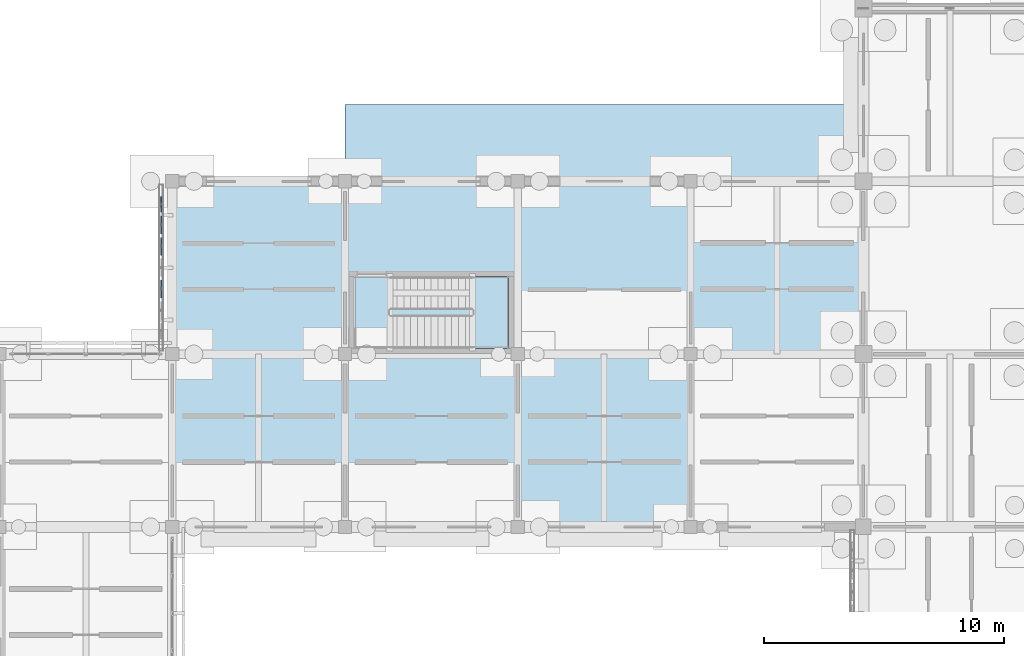
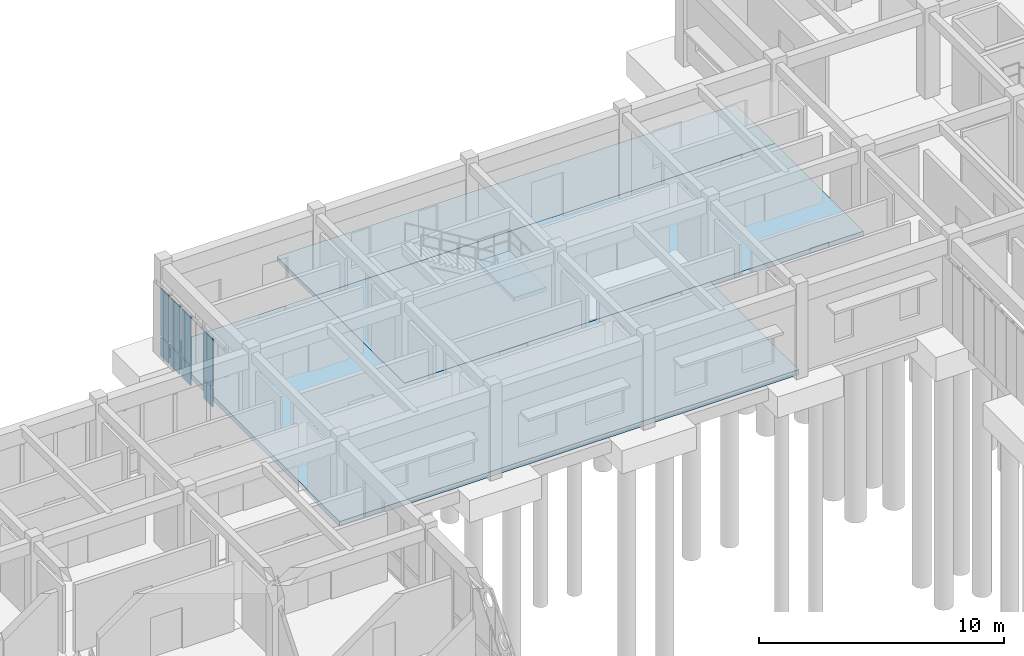
# One storey, part 54 of 111: 8 plates, 4 slabs, 2 elements without a shape of their own.
"""IFC4 building model written with IfcOpenShell, lengths in metres."""

from ifc_helpers import new_model, si_unit, direction, frame, origin, origin_2d, place, context, subcontext, project, spatial, polyline, rectangle, outline, extrude, material, layer, layer_set, type_object, element, aggregate, save


model = new_model("IFC4")

# Units and contexts
model_context = context("Model", 3, precision=1e-05, world=origin(), true_north=direction((0.0, 1.0)))
body_context = subcontext(model_context, "Body", "Model", "MODEL_VIEW")
ifc_project = project(units=[si_unit("LENGTHUNIT", "METRE"), si_unit("AREAUNIT", "SQUARE_METRE"), si_unit("VOLUMEUNIT", "CUBIC_METRE"), si_unit("PLANEANGLEUNIT", "RADIAN"), si_unit("MASSUNIT", "GRAM", prefix="KILO")], contexts=[model_context])

# Site, building, storey
site_placement = place(None, origin())
site = spatial("IfcSite", under=ifc_project, at=site_placement, CompositionType="ELEMENT")
building_placement = place(site_placement, origin())
building = spatial("IfcBuilding", under=site, at=building_placement, Name="Aldebral Square Health Centre", CompositionType="ELEMENT")
storey_placement = place(building_placement, origin())
storey = spatial("IfcBuildingStorey", under=building, at=storey_placement, Name="L00", CompositionType="ELEMENT", Elevation=0.0)

# Curtain wall, plates
ifc_material_1 = material(Name="Aluminium and low-E solar glass", Category="aluminium")
curtain_wall_type = type_object("IfcCurtainWallType", Name="CW-FIN-SYS", PredefinedType="USERDEFINED", material=ifc_material_1)
curtain_wall_placement = place(storey_placement, origin())
curtain_wall = element("IfcCurtainWall", 1, at=curtain_wall_placement, inside=storey, type_object=curtain_wall_type, Name="L00 V5 finned curtain wall L00-V5-15-14-W", ObjectType="SOLAR_CURTAIN_WALL", PredefinedType="USERDEFINED")
ifc_material_2 = material(Name="Solar-control low-E double glass", Category="glass")
ifc_layer_1 = layer(ifc_material_2, 0.050048828125, Name="Solar-control low-E double glass", Category="glass")
ifc_layer_set_1 = layer_set([ifc_layer_1], Name="Solar-control low-E double glass")
plate_type = type_object("IfcPlateType", Name="CWP-GLZ-4", PredefinedType="CURTAIN_PANEL", material=ifc_layer_set_1)
plate_1_placement = place(storey_placement, frame((107.5400390625, 107.0341796875, 0.074951171875), z_axis=(0.0, 0.0, 1.0), x_axis=(0.0, -1.0, 0.0)))
plate_1 = element("IfcPlate", 2, at=plate_1_placement, type_object=plate_type, Name="CW1 panel 1.1", PredefinedType="CURTAIN_PANEL", context=body_context, shape_type="SweptSolid", body=[
    extrude(rectangle(XDim=0.6513671875, YDim=0.050048828125, at=origin_2d()), origin(), (0.0, 0.0, 1.0), 0.9375),
])
plate_2_placement = place(storey_placement, frame((107.5400390625, 107.0341796875, 1.087646484375), z_axis=(0.0, 0.0, 1.0), x_axis=(0.0, -1.0, 0.0)))
plate_2 = element("IfcPlate", 3, at=plate_2_placement, type_object=plate_type, Name="CW1 panel 1.2", PredefinedType="CURTAIN_PANEL", context=body_context, shape_type="SweptSolid", body=[
    extrude(rectangle(XDim=0.6513671875, YDim=0.050048828125, at=origin_2d()), origin(), (0.0, 0.0, 1.0), 2.357421875),
])
plate_3_placement = place(storey_placement, frame((107.5400390625, 106.182861328125, 0.074951171875), z_axis=(0.0, 0.0, 1.0), x_axis=(0.0, -1.0, 0.0)))
plate_3 = element("IfcPlate", 4, at=plate_3_placement, type_object=plate_type, Name="CW1 panel 2.1", PredefinedType="CURTAIN_PANEL", context=body_context, shape_type="SweptSolid", body=[
    extrude(rectangle(XDim=0.7314453125, YDim=0.050048828125, at=origin_2d()), origin(), (0.0, 0.0, 1.0), 0.9375),
])
plate_4_placement = place(storey_placement, frame((107.5400390625, 106.182861328125, 1.087646484375), z_axis=(0.0, 0.0, 1.0), x_axis=(0.0, -1.0, 0.0)))
plate_4 = element("IfcPlate", 5, at=plate_4_placement, type_object=plate_type, Name="CW1 panel 2.2", PredefinedType="CURTAIN_PANEL", context=body_context, shape_type="SweptSolid", body=[
    extrude(rectangle(XDim=0.7314453125, YDim=0.050048828125, at=origin_2d()), origin(), (0.0, 0.0, 1.0), 2.357421875),
])
plate_5_placement = place(storey_placement, frame((107.5400390625, 105.29150390625, 0.074951171875), z_axis=(0.0, 0.0, 1.0), x_axis=(0.0, -1.0, 0.0)))
plate_5 = element("IfcPlate", 6, at=plate_5_placement, type_object=plate_type, Name="CW1 panel 3.1", PredefinedType="CURTAIN_PANEL", context=body_context, shape_type="SweptSolid", body=[
    extrude(rectangle(XDim=0.7314453125, YDim=0.050048828125, at=origin_2d()), origin(), (0.0, 0.0, 1.0), 0.9375),
])
plate_6_placement = place(storey_placement, frame((107.5400390625, 105.29150390625, 1.087646484375), z_axis=(0.0, 0.0, 1.0), x_axis=(0.0, -1.0, 0.0)))
plate_6 = element("IfcPlate", 7, at=plate_6_placement, type_object=plate_type, Name="CW1 panel 3.2", PredefinedType="CURTAIN_PANEL", context=body_context, shape_type="SweptSolid", body=[
    extrude(rectangle(XDim=0.7314453125, YDim=0.050048828125, at=origin_2d()), origin(), (0.0, 0.0, 1.0), 2.357421875),
])
plate_7_placement = place(storey_placement, frame((107.5400390625, 103.508544921875, 0.074951171875), z_axis=(0.0, 0.0, 1.0), x_axis=(0.0, -1.0, 0.0)))
plate_7 = element("IfcPlate", 8, at=plate_7_placement, type_object=plate_type, Name="CW1 panel 5.1", PredefinedType="CURTAIN_PANEL", context=body_context, shape_type="SweptSolid", body=[
    extrude(rectangle(XDim=0.7314453125, YDim=0.050048828125, at=origin_2d()), origin(), (0.0, 0.0, 1.0), 0.9375),
])
plate_8_placement = place(storey_placement, frame((107.5400390625, 103.508544921875, 1.087646484375), z_axis=(0.0, 0.0, 1.0), x_axis=(0.0, -1.0, 0.0)))
plate_8 = element("IfcPlate", 9, at=plate_8_placement, type_object=plate_type, Name="CW1 panel 5.2", PredefinedType="CURTAIN_PANEL", context=body_context, shape_type="SweptSolid", body=[
    extrude(rectangle(XDim=0.7314453125, YDim=0.050048828125, at=origin_2d()), origin(), (0.0, 0.0, 1.0), 2.357421875),
])
aggregate(curtain_wall, [plate_1, plate_2, plate_3, plate_4, plate_5, plate_6, plate_7, plate_8])

# Slabs
ifc_material_3 = material(Name="Concrete C35/45", Category="concrete")
ifc_layer_2 = layer(ifc_material_3, 0.25, Name="Concrete C35/45", Category="concrete")
ifc_layer_set_2 = layer_set([ifc_layer_2], Name="Concrete C35/45")
slab_type_1 = type_object("IfcSlabType", Name="SL-BASE-250", PredefinedType="BASESLAB", material=ifc_layer_set_2)
slab_1_placement = place(storey_placement, frame((0.0, 0.0, -0.25)))
element("IfcSlab", 10, at=slab_1_placement, inside=storey, type_object=slab_type_1, Name="L00 V5 base slab 1", PredefinedType="BASESLAB", context=body_context, shape_type="SweptSolid", body=[
    extrude(outline(polyline([(108.0, 100.800048828125), (108.0, 108.0), (115.199951171875, 108.0), (115.199951171875, 100.800048828125), (122.39990234375, 100.800048828125), (129.60009765625, 100.800048828125), (129.60009765625, 93.60009765625), (122.39990234375, 93.60009765625), (115.199951171875, 93.60009765625), (108.0, 93.60009765625), (108.0, 100.800048828125)])), origin(), (0.0, 0.0, 1.0), 0.25),
])
slab_2_placement = place(storey_placement, frame((0.0, 0.0, -0.25)))
element("IfcSlab", 11, at=slab_2_placement, inside=storey, type_object=slab_type_1, Name="L00 V5 base slab 2", PredefinedType="BASESLAB", context=body_context, shape_type="SweptSolid", body=[
    extrude(outline(polyline([(115.199951171875, 100.800048828125), (115.199951171875, 108.0), (122.39990234375, 108.0), (129.60009765625, 108.0), (136.800048828125, 108.0), (136.800048828125, 100.800048828125), (129.60009765625, 100.800048828125), (122.39990234375, 100.800048828125), (115.199951171875, 100.800048828125)])), origin(), (0.0, 0.0, 1.0), 0.25),
])
ifc_layer_3 = layer(ifc_material_3, 0.199951171875, Name="Concrete C35/45", Category="concrete")
ifc_layer_set_3 = layer_set([ifc_layer_3], Name="Concrete C35/45")
slab_type_2 = type_object("IfcSlabType", Name="SL-COL-200", PredefinedType="USERDEFINED", material=ifc_layer_set_3)
slab_3_placement = place(storey_placement, frame((0.0, 0.0, -0.199951171875)))
element("IfcSlab", 12, at=slab_3_placement, inside=storey, type_object=slab_type_2, Name="Ground entrance apron APR-N-S10.1", ObjectType="PAVING", PredefinedType="USERDEFINED", context=body_context, shape_type="SweptSolid", body=[
    extrude(outline(polyline([(136.800048828125, 108.0), (129.60009765625, 108.0), (122.39990234375, 108.0), (115.199951171875, 108.0), (115.199951171875, 111.199951171875), (136.800048828125, 111.199951171875), (136.800048828125, 108.0)])), origin(), (0.0, 0.0, 1.0), 0.199951171875),
])

# Stair, slab
stair_type = type_object("IfcStairType", Name="ST-DOG-140", PredefinedType="HALF_TURN_STAIR", material=ifc_material_3)
stair_placement = place(storey_placement, origin())
stair = element("IfcStair", 13, at=stair_placement, inside=storey, type_object=stair_type, Name="L00 ST-10", PredefinedType="HALF_TURN_STAIR")
ifc_layer_4 = layer(ifc_material_3, 0.199951171875, Name="Concrete C35/45", Category="concrete")
ifc_layer_set_4 = layer_set([ifc_layer_4], Name="Concrete C35/45")
slab_type_3 = type_object("IfcSlabType", Name="SL-LND-200", PredefinedType="LANDING", material=ifc_layer_set_4)
slab_4_placement = place(storey_placement, frame((0.0, 0.0, 2.050048828125)))
slab_4 = element("IfcSlab", 14, at=slab_4_placement, type_object=slab_type_3, Name="ST-10 landing 1", PredefinedType="LANDING", context=body_context, shape_type="SweptSolid", body=[
    extrude(outline(polyline([(120.5, 101.0400390625), (122.02001953125, 101.0400390625), (122.02001953125, 104.0400390625), (120.5, 104.0400390625), (120.5, 101.0400390625)])), origin(), (0.0, 0.0, 1.0), 0.199951171875),
])
aggregate(stair, [slab_4])

save(model, "model.ifc")
